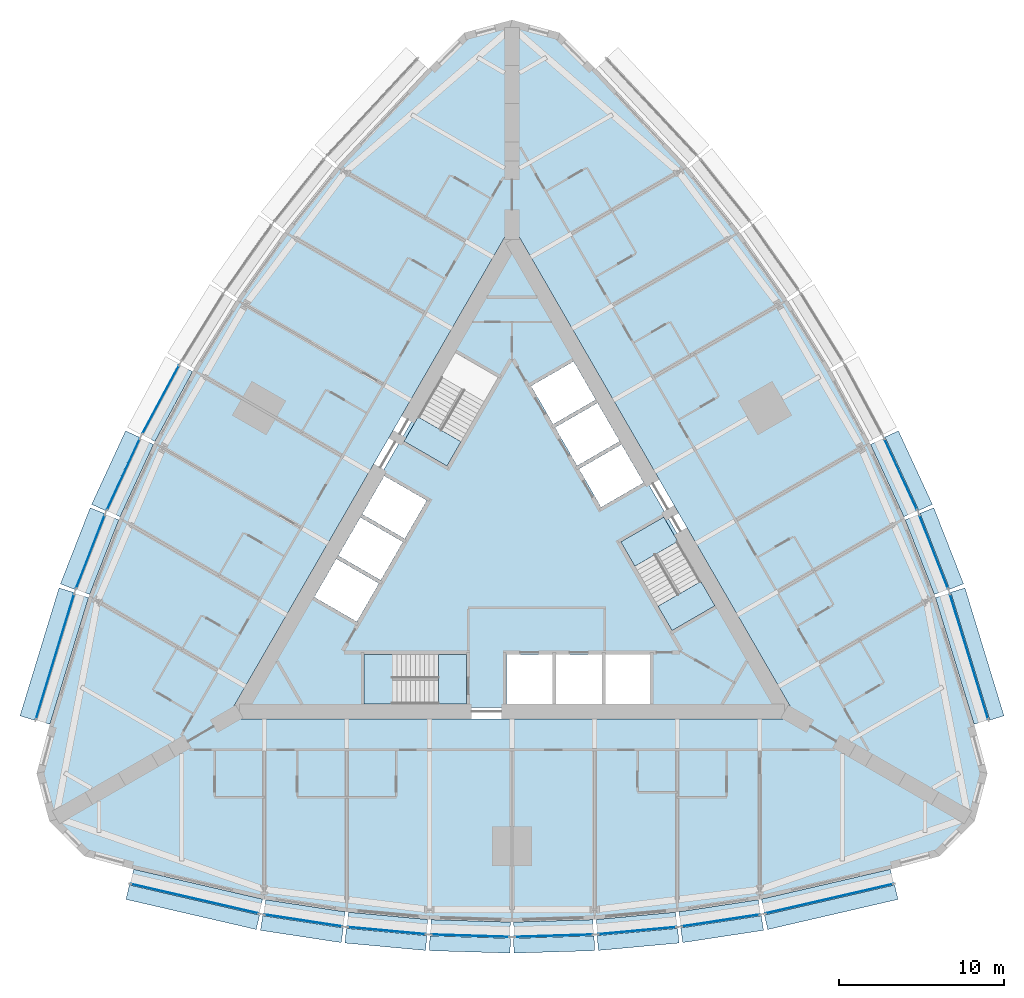
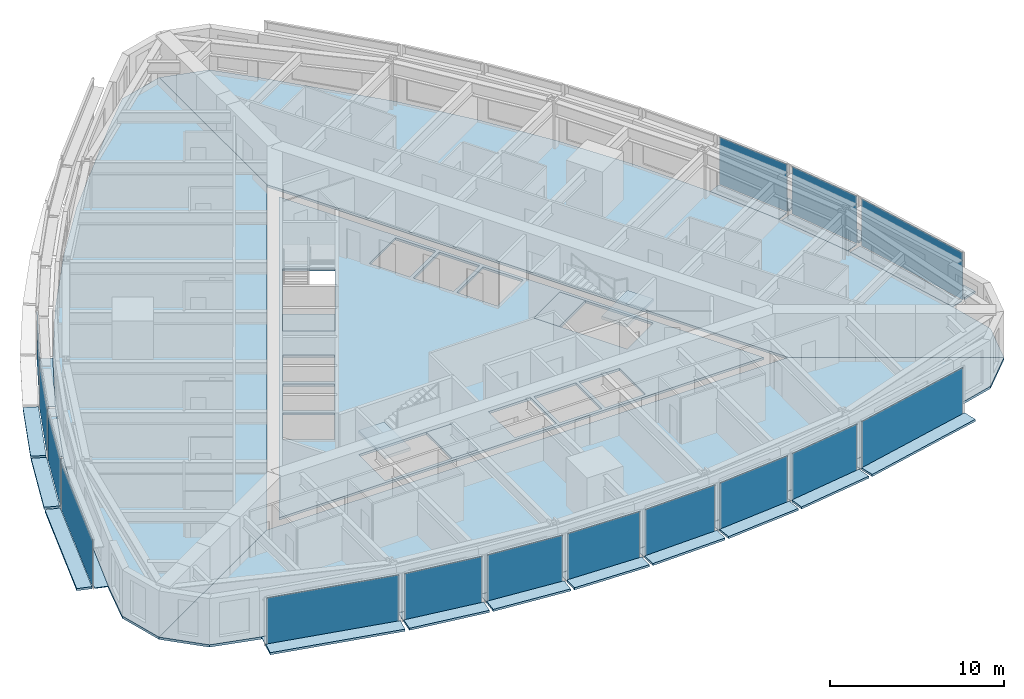
# One storey, part 6 of 14: 44 plates, 9 slabs, 18 elements without a shape of their own.
"""IFC4 building model written with IfcOpenShell, lengths in metres."""

from ifc_helpers import new_model, si_unit, direction, frame, origin, origin_2d, place, context, subcontext, project, spatial, polyline, rectangle, outline, extrude, material, layer, layer_set, type_object, element, aggregate, save


model = new_model("IFC4")

# Units and contexts
model_context = context("Model", 3, precision=1e-05, world=origin(), true_north=direction((0.0, 1.0)))
body_context = subcontext(model_context, "Body", "Model", "MODEL_VIEW")
ifc_project = project(units=[si_unit("LENGTHUNIT", "METRE"), si_unit("AREAUNIT", "SQUARE_METRE"), si_unit("VOLUMEUNIT", "CUBIC_METRE"), si_unit("PLANEANGLEUNIT", "RADIAN"), si_unit("MASSUNIT", "GRAM", prefix="KILO")], contexts=[model_context])

# Site, building, storey
site_placement = place(None, origin())
site = spatial("IfcSite", under=ifc_project, at=site_placement, CompositionType="ELEMENT")
building_placement = place(site_placement, origin())
building = spatial("IfcBuilding", under=site, at=building_placement, Name="Trikona Tower", CompositionType="ELEMENT")
storey_placement = place(building_placement, frame((0.0, 0.0, 45.5)))
storey = spatial("IfcBuildingStorey", under=building, at=storey_placement, Name="L10", CompositionType="ELEMENT", Elevation=45.5)

# Plates
ifc_material_1 = material(Name="Aluminium bar grating", Category="aluminium")
ifc_layer_1 = layer(ifc_material_1, 0.050048828125)
ifc_layer_set_1 = layer_set([ifc_layer_1], Name="Cavity catwalk grating")
plate_type_1 = type_object("IfcPlateType", Name="Cavity catwalk grating", PredefinedType="USERDEFINED", material=ifc_layer_set_1)
plate_1_placement = place(storey_placement, frame((-19.09228515625, -20.377197265625, -0.0498046875), z_axis=(0.0, 0.0, 1.0), x_axis=(0.974277718622, -0.225350675607, 0.0)))
element("IfcPlate", 1, at=plate_1_placement, inside=storey, type_object=plate_type_1, Name="Cavity catwalk L10-00", ObjectType="CATWALK GRATING", PredefinedType="USERDEFINED", context=body_context, shape_type="SweptSolid", body=[
    extrude(rectangle(XDim=8.01123046875, YDim=0.820068359375, at=origin_2d()), origin(), (0.0, 0.0, 1.0), 0.050048828125),
])
plate_2_placement = place(storey_placement, frame((-12.561767578125, -21.688720703125, -0.0498046875), z_axis=(0.0, 0.0, 1.0), x_axis=(0.988617896768, -0.150448177754, 0.0)))
element("IfcPlate", 2, at=plate_2_placement, inside=storey, type_object=plate_type_1, Name="Cavity catwalk L10-01", ObjectType="CATWALK GRATING", PredefinedType="USERDEFINED", context=body_context, shape_type="SweptSolid", body=[
    extrude(rectangle(XDim=4.857666015625, YDim=0.820068359375, at=origin_2d()), origin(), (0.0, 0.0, 1.0), 0.050048828125),
])
plate_3_placement = place(storey_placement, frame((-7.537353515625, -22.300537109375, -0.0498046875), z_axis=(0.0, 0.0, 1.0), x_axis=(0.995858098326, -0.090921108655, 0.0)))
element("IfcPlate", 3, at=plate_3_placement, inside=storey, type_object=plate_type_1, Name="Cavity catwalk L10-02", ObjectType="CATWALK GRATING", PredefinedType="USERDEFINED", context=body_context, shape_type="SweptSolid", body=[
    extrude(rectangle(XDim=4.82080078125, YDim=0.820068359375, at=origin_2d()), origin(), (0.0, 0.0, 1.0), 0.050048828125),
])
for number, where, z_axis, x_axis, name in (
    (4, (-2.512451171875, -22.606201171875, -0.0498046875), (0.0, 0.0, 1.0), (0.999537048889, -0.030425119525, 0.0), "Cavity catwalk L10-03"),
    (5, (2.512451171875, -22.606201171875, -0.0498046875), (0.0, 0.0, 1.0), (0.999537048889, 0.030425119525, 0.0), "Cavity catwalk L10-04"),
):
    element("IfcPlate", number, at=place(storey_placement, frame(where, z_axis=z_axis, x_axis=x_axis)), inside=storey, type_object=plate_type_1, Name=name, ObjectType="CATWALK GRATING", PredefinedType="USERDEFINED", context=body_context, shape_type="SweptSolid", body=[
        extrude(rectangle(XDim=4.80224609375, YDim=0.820068359375, at=origin_2d()), origin(), (0.0, 0.0, 1.0), 0.050048828125),
    ])
plate_4_placement = place(storey_placement, frame((7.537353515625, -22.300537109375, -0.0498046875), z_axis=(0.0, 0.0, 1.0), x_axis=(0.995858098326, 0.090921108655, 0.0)))
element("IfcPlate", 6, at=plate_4_placement, inside=storey, type_object=plate_type_1, Name="Cavity catwalk L10-05", ObjectType="CATWALK GRATING", PredefinedType="USERDEFINED", context=body_context, shape_type="SweptSolid", body=[
    extrude(rectangle(XDim=4.82080078125, YDim=0.820068359375, at=origin_2d()), origin(), (0.0, 0.0, 1.0), 0.050048828125),
])
plate_5_placement = place(storey_placement, frame((12.561767578125, -21.688720703125, -0.0498046875), z_axis=(0.0, 0.0, 1.0), x_axis=(0.988617896768, 0.150448177754, 0.0)))
element("IfcPlate", 7, at=plate_5_placement, inside=storey, type_object=plate_type_1, Name="Cavity catwalk L10-06", ObjectType="CATWALK GRATING", PredefinedType="USERDEFINED", context=body_context, shape_type="SweptSolid", body=[
    extrude(rectangle(XDim=4.857666015625, YDim=0.820068359375, at=origin_2d()), origin(), (0.0, 0.0, 1.0), 0.050048828125),
])
for number, where, z_axis, x_axis, name in (
    (8, (19.09228515625, -20.377197265625, -0.0498046875), (0.0, 0.0, 1.0), (0.974277718622, 0.225350675607, 0.0), "Cavity catwalk L10-07"),
    (9, (27.193359375, -6.345947265625, -0.0498046875), (0.0, 0.0, 1.0), (-0.291979449475, 0.956424592471, 0.0), "Cavity catwalk L10-12"),
):
    element("IfcPlate", number, at=place(storey_placement, frame(where, z_axis=z_axis, x_axis=x_axis)), inside=storey, type_object=plate_type_1, Name=name, ObjectType="CATWALK GRATING", PredefinedType="USERDEFINED", context=body_context, shape_type="SweptSolid", body=[
        extrude(rectangle(XDim=8.01123046875, YDim=0.820068359375, at=origin_2d()), origin(), (0.0, 0.0, 1.0), 0.050048828125),
    ])
plate_6_placement = place(storey_placement, frame((25.06396484375, -0.034423828125, -0.0498046875), z_axis=(0.0, 0.0, 1.0), x_axis=(-0.364008876551, 0.931395478726, 0.0)))
element("IfcPlate", 10, at=plate_6_placement, inside=storey, type_object=plate_type_1, Name="Cavity catwalk L10-13", ObjectType="CATWALK GRATING", PredefinedType="USERDEFINED", context=body_context, shape_type="SweptSolid", body=[
    extrude(rectangle(XDim=4.857666015625, YDim=0.820068359375, at=origin_2d()), origin(), (0.0, 0.0, 1.0), 0.050048828125),
])
plate_7_placement = place(storey_placement, frame((23.081298828125, 4.622802734375, -0.0498046875), z_axis=(0.0, 0.0, 1.0), x_axis=(-0.41919381307, 0.907896771161, 0.0)))
element("IfcPlate", 11, at=plate_7_placement, inside=storey, type_object=plate_type_1, Name="Cavity catwalk L10-14", ObjectType="CATWALK GRATING", PredefinedType="USERDEFINED", context=body_context, shape_type="SweptSolid", body=[
    extrude(rectangle(XDim=4.82080078125, YDim=0.820068359375, at=origin_2d()), origin(), (0.0, 0.0, 1.0), 0.050048828125),
])
plate_8_placement = place(storey_placement, frame((-20.833740234375, 9.127197265625, -0.0498046875), z_axis=(0.0, 0.0, 1.0), x_axis=(-0.473422672721, -0.880835383572, 0.0)))
element("IfcPlate", 12, at=plate_8_placement, inside=storey, type_object=plate_type_1, Name="Cavity catwalk L10-28", ObjectType="CATWALK GRATING", PredefinedType="USERDEFINED", context=body_context, shape_type="SweptSolid", body=[
    extrude(rectangle(XDim=4.80224609375, YDim=0.820068359375, at=origin_2d()), origin(), (0.0, 0.0, 1.0), 0.050048828125),
])
plate_9_placement = place(storey_placement, frame((-23.081298828125, 4.622802734375, -0.0498046875), z_axis=(0.0, 0.0, 1.0), x_axis=(-0.41919381307, -0.907896771161, 0.0)))
element("IfcPlate", 13, at=plate_9_placement, inside=storey, type_object=plate_type_1, Name="Cavity catwalk L10-29", ObjectType="CATWALK GRATING", PredefinedType="USERDEFINED", context=body_context, shape_type="SweptSolid", body=[
    extrude(rectangle(XDim=4.82080078125, YDim=0.820068359375, at=origin_2d()), origin(), (0.0, 0.0, 1.0), 0.050048828125),
])
plate_10_placement = place(storey_placement, frame((-25.06396484375, -0.034423828125, -0.0498046875), z_axis=(0.0, 0.0, 1.0), x_axis=(-0.364008876551, -0.931395478726, 0.0)))
element("IfcPlate", 14, at=plate_10_placement, inside=storey, type_object=plate_type_1, Name="Cavity catwalk L10-30", ObjectType="CATWALK GRATING", PredefinedType="USERDEFINED", context=body_context, shape_type="SweptSolid", body=[
    extrude(rectangle(XDim=4.857666015625, YDim=0.820068359375, at=origin_2d()), origin(), (0.0, 0.0, 1.0), 0.050048828125),
])
plate_11_placement = place(storey_placement, frame((-27.193359375, -6.345947265625, -0.0498046875), z_axis=(0.0, 0.0, 1.0), x_axis=(-0.291979449475, -0.956424592471, 0.0)))
element("IfcPlate", 15, at=plate_11_placement, inside=storey, type_object=plate_type_1, Name="Cavity catwalk L10-31", ObjectType="CATWALK GRATING", PredefinedType="USERDEFINED", context=body_context, shape_type="SweptSolid", body=[
    extrude(rectangle(XDim=8.01123046875, YDim=0.820068359375, at=origin_2d()), origin(), (0.0, 0.0, 1.0), 0.050048828125),
])

# Slabs
ifc_material_2 = material(Name="Concrete f'c 5000 psi lightweight on composite steel deck", Category="concrete")
ifc_layer_2 = layer(ifc_material_2, 0.1650390625)
ifc_layer_set_2 = layer_set([ifc_layer_2], Name="Composite floor slab 165")
slab_type_1 = type_object("IfcSlabType", Name="Composite floor slab 165", PredefinedType="FLOOR", material=ifc_layer_set_2)
slab_1_placement = place(storey_placement, frame((0.0, 0.0, -0.1650390625)))
element("IfcSlab", 16, at=slab_1_placement, inside=storey, type_object=slab_type_1, Name="Floor slab L10 core", PredefinedType="FLOOR", context=body_context, shape_type="SweptSolid", body=[
    extrude(outline(polyline([(-16.06689453125, -9.2763671875), (16.06689453125, -9.2763671875), (0.0, 18.552490234375), (-16.06689453125, -9.2763671875)]), holes=[polyline([(12.285400390625, -3.126220703125), (9.185302734375, 2.2431640625), (6.587158203125, 0.7431640625), (9.687255859375, -4.626220703125), (12.285400390625, -3.126220703125)]), polyline([(8.340087890625, -9.06640625), (8.340087890625, -6.086181640625), (5.659912109375, -6.086181640625), (5.659912109375, -9.06640625), (8.340087890625, -9.06640625)]), polyline([(5.390869140625, 2.835205078125), (7.9716796875, 4.3251953125), (6.631591796875, 6.646240234375), (4.05078125, 5.15625), (5.390869140625, 2.835205078125)]), polyline([(2.600830078125, 7.667724609375), (3.94091796875, 5.3466796875), (6.521484375, 6.8369140625), (5.181640625, 9.15771484375), (2.600830078125, 7.667724609375)]), polyline([(5.43994140625, -6.086181640625), (2.659912109375, -6.086181640625), (2.659912109375, -9.06640625), (5.43994140625, -9.06640625), (5.43994140625, -6.086181640625)]), polyline([(3.731689453125, 11.669189453125), (1.15087890625, 10.17919921875), (2.490966796875, 7.858154296875), (5.071533203125, 9.34814453125), (3.731689453125, 11.669189453125)]), polyline([(-0.340087890625, -6.086181640625), (-0.340087890625, -9.06640625), (2.43994140625, -9.06640625), (2.43994140625, -6.086181640625), (-0.340087890625, -6.086181640625)]), polyline([(-3.435302734375, 12.202392578125), (-6.535400390625, 6.8330078125), (-3.937255859375, 5.3330078125), (-0.837158203125, 10.702392578125), (-3.435302734375, 12.202392578125)]), polyline([(-8.949951171875, -9.076416015625), (-2.75, -9.076416015625), (-2.75, -6.076416015625), (-8.949951171875, -6.076416015625), (-8.949951171875, -9.076416015625)]), polyline([(-5.15087890625, 3.2509765625), (-7.731689453125, 4.740966796875), (-9.071533203125, 2.419921875), (-6.490966796875, 0.929931640625), (-5.15087890625, 3.2509765625)]), polyline([(-7.94091796875, -1.581298828125), (-6.600830078125, 0.739501953125), (-9.181640625, 2.2294921875), (-10.521484375, -0.09130859375), (-7.94091796875, -1.581298828125)]), polyline([(-11.9716796875, -2.602783203125), (-9.390869140625, -4.093017578125), (-8.05078125, -1.77197265625), (-10.631591796875, -0.281982421875), (-11.9716796875, -2.602783203125)])]), origin(), (0.0, 0.0, 1.0), 0.1650390625),
])
slab_2_placement = place(storey_placement, frame((0.0, 0.0, -0.1650390625)))
element("IfcSlab", 17, at=slab_2_placement, inside=storey, type_object=slab_type_1, Name="Floor slab L10 south", PredefinedType="FLOOR", context=body_context, shape_type="SweptSolid", body=[
    extrude(outline(polyline([(25.88671875, -18.279052734375), (28.0, -16.165771484375), (17.279296875, -9.976318359375), (-17.279296875, -9.976318359375), (-28.0, -16.165771484375), (-25.88671875, -18.279052734375), (-23.0, -19.052490234375), (-15.0, -20.903076171875), (-10.0, -21.663818359375), (-5.0, -22.120361328125), (0.0, -22.272705078125), (5.0, -22.120361328125), (10.0, -21.663818359375), (15.0, -20.903076171875), (23.0, -19.052490234375), (25.88671875, -18.279052734375)])), origin(), (0.0, 0.0, 1.0), 0.1650390625),
])
slab_3_placement = place(storey_placement, frame((0.0, 0.0, -0.1650390625)))
element("IfcSlab", 18, at=slab_3_placement, inside=storey, type_object=slab_type_1, Name="Floor slab L10 north-east", PredefinedType="FLOOR", context=body_context, shape_type="SweptSolid", body=[
    extrude(outline(polyline([(2.88671875, 31.55810546875), (0.0, 32.33154296875), (0.0, 19.95263671875), (17.279296875, -9.976318359375), (28.0, -16.165771484375), (28.7734375, -13.279052734375), (28.0, -10.392333984375), (25.6025390625, -2.538818359375), (23.761474609375, 2.171630859375), (21.65673828125, 6.72998046875), (19.28857421875, 11.13623046875), (16.65673828125, 15.390380859375), (13.761474609375, 19.4921875), (10.6025390625, 23.44189453125), (5.0, 29.44482421875), (2.88671875, 31.55810546875)])), origin(), (0.0, 0.0, 1.0), 0.1650390625),
])
slab_4_placement = place(storey_placement, frame((0.0, 0.0, -0.1650390625)))
element("IfcSlab", 19, at=slab_4_placement, inside=storey, type_object=slab_type_1, Name="Floor slab L10 north-west", PredefinedType="FLOOR", context=body_context, shape_type="SweptSolid", body=[
    extrude(outline(polyline([(0.0, 19.95263671875), (0.0, 32.33154296875), (-2.88671875, 31.55810546875), (-5.0, 29.44482421875), (-10.6025390625, 23.44189453125), (-13.761474609375, 19.4921875), (-16.65673828125, 15.390380859375), (-19.28857421875, 11.13623046875), (-21.65673828125, 6.72998046875), (-23.761474609375, 2.171630859375), (-25.6025390625, -2.538818359375), (-28.0, -10.392333984375), (-28.7734375, -13.279052734375), (-28.0, -16.165771484375), (-17.279296875, -9.976318359375), (0.0, 19.95263671875)])), origin(), (0.0, 0.0, 1.0), 0.1650390625),
])

# Curtain wall, plate
ifc_material_3 = material(Name="Aluminium curtain wall system", Category="aluminium")
curtain_wall_type = type_object("IfcCurtainWallType", Name="Curtain wall DS1", PredefinedType="NOTDEFINED", material=ifc_material_3)
curtain_wall_1_placement = place(storey_placement, origin())
curtain_wall_1 = element("IfcCurtainWall", 20, at=curtain_wall_1_placement, inside=storey, type_object=curtain_wall_type, Name="Curtain wall DS1 L10", PredefinedType="NOTDEFINED")
ifc_material_4 = material(Name="Laminated clear glass", Category="glass")
ifc_layer_3 = layer(ifc_material_4, 0.028076171875)
ifc_layer_set_3 = layer_set([ifc_layer_3], Name="Glass panel DS1")
plate_type_2 = type_object("IfcPlateType", Name="Glass panel DS1", PredefinedType="CURTAIN_PANEL", material=ifc_layer_set_3)
plate_12_placement = place(storey_placement, frame((-19.202880859375, -20.854736328125, 0.0), z_axis=(0.0, 0.0, 1.0), x_axis=(0.974279427173, -0.225343288756, 0.0)))
plate_12 = element("IfcPlate", 21, at=plate_12_placement, type_object=plate_type_2, Name="CW-DS1 panel 1.1", PredefinedType="CURTAIN_PANEL", context=body_context, shape_type="SweptSolid", body=[
    extrude(rectangle(XDim=7.93115234375, YDim=0.028076171875, at=origin_2d()), origin(), (0.0, 0.0, 1.0), 3.320068359375),
])
aggregate(curtain_wall_1, [plate_12])

curtain_wall_2_placement = place(storey_placement, origin())
curtain_wall_2 = element("IfcCurtainWall", 22, at=curtain_wall_2_placement, inside=storey, type_object=curtain_wall_type, Name="Curtain wall DS1 L10", PredefinedType="NOTDEFINED")
plate_13_placement = place(storey_placement, frame((-12.635498046875, -22.173095703125, 0.0), z_axis=(0.0, 0.0, 1.0), x_axis=(0.988619492156, -0.150437693845, 0.0)))
plate_13 = element("IfcPlate", 23, at=plate_13_placement, type_object=plate_type_2, Name="CW-DS1 panel 1.1", PredefinedType="CURTAIN_PANEL", context=body_context, shape_type="SweptSolid", body=[
    extrude(rectangle(XDim=4.777587890625, YDim=0.028076171875, at=origin_2d()), origin(), (0.0, 0.0, 1.0), 3.320068359375),
])
aggregate(curtain_wall_2, [plate_13])

curtain_wall_3_placement = place(storey_placement, origin())
curtain_wall_3 = element("IfcCurtainWall", 24, at=curtain_wall_3_placement, inside=storey, type_object=curtain_wall_type, Name="Curtain wall DS1 L10", PredefinedType="NOTDEFINED")
plate_14_placement = place(storey_placement, frame((-7.581787109375, -22.788330078125, 0.0), z_axis=(0.0, 0.0, 1.0), x_axis=(0.995857840485, -0.090923932737, 0.0)))
plate_14 = element("IfcPlate", 25, at=plate_14_placement, type_object=plate_type_2, Name="CW-DS1 panel 1.1", PredefinedType="CURTAIN_PANEL", context=body_context, shape_type="SweptSolid", body=[
    extrude(rectangle(XDim=4.74072265625, YDim=0.028076171875, at=origin_2d()), origin(), (0.0, 0.0, 1.0), 3.320068359375),
])
aggregate(curtain_wall_3, [plate_14])

curtain_wall_4_placement = place(storey_placement, origin())
curtain_wall_4 = element("IfcCurtainWall", 26, at=curtain_wall_4_placement, inside=storey, type_object=curtain_wall_type, Name="Curtain wall DS1 L10", PredefinedType="NOTDEFINED")
plate_15_placement = place(storey_placement, frame((-2.52734375, -23.09619140625, 0.0), z_axis=(0.0, 0.0, 1.0), x_axis=(0.999536695965, -0.030436711692, 0.0)))
plate_15 = element("IfcPlate", 27, at=plate_15_placement, type_object=plate_type_2, Name="CW-DS1 panel 1.1", PredefinedType="CURTAIN_PANEL", context=body_context, shape_type="SweptSolid", body=[
    extrude(rectangle(XDim=4.72216796875, YDim=0.028076171875, at=origin_2d()), origin(), (0.0, 0.0, 1.0), 3.320068359375),
])
aggregate(curtain_wall_4, [plate_15])

curtain_wall_5_placement = place(storey_placement, origin())
curtain_wall_5 = element("IfcCurtainWall", 28, at=curtain_wall_5_placement, inside=storey, type_object=curtain_wall_type, Name="Curtain wall DS1 L10", PredefinedType="NOTDEFINED")
plate_16_placement = place(storey_placement, frame((2.52734375, -23.09619140625, 0.0), z_axis=(0.0, 0.0, 1.0), x_axis=(0.999536695965, 0.030436711692, 0.0)))
plate_16 = element("IfcPlate", 29, at=plate_16_placement, type_object=plate_type_2, Name="CW-DS1 panel 1.1", PredefinedType="CURTAIN_PANEL", context=body_context, shape_type="SweptSolid", body=[
    extrude(rectangle(XDim=4.72216796875, YDim=0.028076171875, at=origin_2d()), origin(), (0.0, 0.0, 1.0), 3.320068359375),
])
aggregate(curtain_wall_5, [plate_16])

curtain_wall_6_placement = place(storey_placement, origin())
curtain_wall_6 = element("IfcCurtainWall", 30, at=curtain_wall_6_placement, inside=storey, type_object=curtain_wall_type, Name="Curtain wall DS1 L10", PredefinedType="NOTDEFINED")
plate_17_placement = place(storey_placement, frame((7.581787109375, -22.788330078125, 0.0), z_axis=(0.0, 0.0, 1.0), x_axis=(0.995857840485, 0.090923932737, 0.0)))
plate_17 = element("IfcPlate", 31, at=plate_17_placement, type_object=plate_type_2, Name="CW-DS1 panel 1.1", PredefinedType="CURTAIN_PANEL", context=body_context, shape_type="SweptSolid", body=[
    extrude(rectangle(XDim=4.74072265625, YDim=0.028076171875, at=origin_2d()), origin(), (0.0, 0.0, 1.0), 3.320068359375),
])
aggregate(curtain_wall_6, [plate_17])

curtain_wall_7_placement = place(storey_placement, origin())
curtain_wall_7 = element("IfcCurtainWall", 32, at=curtain_wall_7_placement, inside=storey, type_object=curtain_wall_type, Name="Curtain wall DS1 L10", PredefinedType="NOTDEFINED")
plate_18_placement = place(storey_placement, frame((12.635498046875, -22.173095703125, 0.0), z_axis=(0.0, 0.0, 1.0), x_axis=(0.988619492156, 0.150437693845, 0.0)))
plate_18 = element("IfcPlate", 33, at=plate_18_placement, type_object=plate_type_2, Name="CW-DS1 panel 1.1", PredefinedType="CURTAIN_PANEL", context=body_context, shape_type="SweptSolid", body=[
    extrude(rectangle(XDim=4.777587890625, YDim=0.028076171875, at=origin_2d()), origin(), (0.0, 0.0, 1.0), 3.320068359375),
])
aggregate(curtain_wall_7, [plate_18])

curtain_wall_8_placement = place(storey_placement, origin())
curtain_wall_8 = element("IfcCurtainWall", 34, at=curtain_wall_8_placement, inside=storey, type_object=curtain_wall_type, Name="Curtain wall DS1 L10", PredefinedType="NOTDEFINED")
plate_19_placement = place(storey_placement, frame((19.202880859375, -20.854736328125, 0.0), z_axis=(0.0, 0.0, 1.0), x_axis=(0.974279427173, 0.225343288756, 0.0)))
plate_19 = element("IfcPlate", 35, at=plate_19_placement, type_object=plate_type_2, Name="CW-DS1 panel 1.1", PredefinedType="CURTAIN_PANEL", context=body_context, shape_type="SweptSolid", body=[
    extrude(rectangle(XDim=7.93115234375, YDim=0.028076171875, at=origin_2d()), origin(), (0.0, 0.0, 1.0), 3.320068359375),
])
aggregate(curtain_wall_8, [plate_19])

curtain_wall_9_placement = place(storey_placement, origin())
curtain_wall_9 = element("IfcCurtainWall", 36, at=curtain_wall_9_placement, inside=storey, type_object=curtain_wall_type, Name="Curtain wall DS1 L10", PredefinedType="NOTDEFINED")
plate_20_placement = place(storey_placement, frame((27.662109375, -6.202880859375, 0.0), z_axis=(0.0, 0.0, 1.0), x_axis=(-0.291984287868, 0.956423115383, 0.0)))
plate_20 = element("IfcPlate", 37, at=plate_20_placement, type_object=plate_type_2, Name="CW-DS1 panel 1.1", PredefinedType="CURTAIN_PANEL", context=body_context, shape_type="SweptSolid", body=[
    extrude(rectangle(XDim=7.93115234375, YDim=0.028076171875, at=origin_2d()), origin(), (0.0, 0.0, 1.0), 3.320068359375),
])
aggregate(curtain_wall_9, [plate_20])

curtain_wall_10_placement = place(storey_placement, origin())
curtain_wall_10 = element("IfcCurtainWall", 38, at=curtain_wall_10_placement, inside=storey, type_object=curtain_wall_type, Name="Curtain wall DS1 L10", PredefinedType="NOTDEFINED")
plate_21_placement = place(storey_placement, frame((25.520263671875, 0.14404296875, 0.0), z_axis=(0.0, 0.0, 1.0), x_axis=(-0.36400756977, 0.931395989443, 0.0)))
plate_21 = element("IfcPlate", 39, at=plate_21_placement, type_object=plate_type_2, Name="CW-DS1 panel 1.1", PredefinedType="CURTAIN_PANEL", context=body_context, shape_type="SweptSolid", body=[
    extrude(rectangle(XDim=4.777587890625, YDim=0.028076171875, at=origin_2d()), origin(), (0.0, 0.0, 1.0), 3.320068359375),
])
aggregate(curtain_wall_10, [plate_21])

curtain_wall_11_placement = place(storey_placement, origin())
curtain_wall_11 = element("IfcCurtainWall", 40, at=curtain_wall_11_placement, inside=storey, type_object=curtain_wall_type, Name="Curtain wall DS1 L10", PredefinedType="NOTDEFINED")
plate_22_placement = place(storey_placement, frame((23.5263671875, 4.828125, 0.0), z_axis=(0.0, 0.0, 1.0), x_axis=(-0.419190155352, 0.907898459992, 0.0)))
plate_22 = element("IfcPlate", 41, at=plate_22_placement, type_object=plate_type_2, Name="CW-DS1 panel 1.1", PredefinedType="CURTAIN_PANEL", context=body_context, shape_type="SweptSolid", body=[
    extrude(rectangle(XDim=4.740966796875, YDim=0.028076171875, at=origin_2d()), origin(), (0.0, 0.0, 1.0), 3.320068359375),
])
aggregate(curtain_wall_11, [plate_22])

curtain_wall_12_placement = place(storey_placement, origin())
curtain_wall_12 = element("IfcCurtainWall", 42, at=curtain_wall_12_placement, inside=storey, type_object=curtain_wall_type, Name="Curtain wall DS1 L10", PredefinedType="NOTDEFINED")
plate_23_placement = place(storey_placement, frame((-21.265380859375, 9.359130859375, 0.0), z_axis=(0.0, 0.0, 1.0), x_axis=(-0.473408350896, -0.880843080975, 0.0)))
plate_23 = element("IfcPlate", 43, at=plate_23_placement, type_object=plate_type_2, Name="CW-DS1 panel 1.1", PredefinedType="CURTAIN_PANEL", context=body_context, shape_type="SweptSolid", body=[
    extrude(rectangle(XDim=4.72216796875, YDim=0.028076171875, at=origin_2d()), origin(), (0.0, 0.0, 1.0), 3.320068359375),
])
aggregate(curtain_wall_12, [plate_23])

curtain_wall_13_placement = place(storey_placement, origin())
curtain_wall_13 = element("IfcCurtainWall", 44, at=curtain_wall_13_placement, inside=storey, type_object=curtain_wall_type, Name="Curtain wall DS1 L10", PredefinedType="NOTDEFINED")
plate_24_placement = place(storey_placement, frame((-23.5263671875, 4.828125, 0.0), z_axis=(0.0, 0.0, 1.0), x_axis=(-0.419190155352, -0.907898459992, 0.0)))
plate_24 = element("IfcPlate", 45, at=plate_24_placement, type_object=plate_type_2, Name="CW-DS1 panel 1.1", PredefinedType="CURTAIN_PANEL", context=body_context, shape_type="SweptSolid", body=[
    extrude(rectangle(XDim=4.740966796875, YDim=0.028076171875, at=origin_2d()), origin(), (0.0, 0.0, 1.0), 3.320068359375),
])
aggregate(curtain_wall_13, [plate_24])

curtain_wall_14_placement = place(storey_placement, origin())
curtain_wall_14 = element("IfcCurtainWall", 46, at=curtain_wall_14_placement, inside=storey, type_object=curtain_wall_type, Name="Curtain wall DS1 L10", PredefinedType="NOTDEFINED")
plate_25_placement = place(storey_placement, frame((-25.520263671875, 0.14404296875, 0.0), z_axis=(0.0, 0.0, 1.0), x_axis=(-0.36400756977, -0.931395989443, 0.0)))
plate_25 = element("IfcPlate", 47, at=plate_25_placement, type_object=plate_type_2, Name="CW-DS1 panel 1.1", PredefinedType="CURTAIN_PANEL", context=body_context, shape_type="SweptSolid", body=[
    extrude(rectangle(XDim=4.777587890625, YDim=0.028076171875, at=origin_2d()), origin(), (0.0, 0.0, 1.0), 3.320068359375),
])
aggregate(curtain_wall_14, [plate_25])

curtain_wall_15_placement = place(storey_placement, origin())
curtain_wall_15 = element("IfcCurtainWall", 48, at=curtain_wall_15_placement, inside=storey, type_object=curtain_wall_type, Name="Curtain wall DS1 L10", PredefinedType="NOTDEFINED")
plate_26_placement = place(storey_placement, frame((-27.662109375, -6.202880859375, 0.0), z_axis=(0.0, 0.0, 1.0), x_axis=(-0.291984287868, -0.956423115383, 0.0)))
plate_26 = element("IfcPlate", 49, at=plate_26_placement, type_object=plate_type_2, Name="CW-DS1 panel 1.1", PredefinedType="CURTAIN_PANEL", context=body_context, shape_type="SweptSolid", body=[
    extrude(rectangle(XDim=7.93115234375, YDim=0.028076171875, at=origin_2d()), origin(), (0.0, 0.0, 1.0), 3.320068359375),
])
aggregate(curtain_wall_15, [plate_26])

# Plates
ifc_material_5 = material(Name="Aluminium plate fin, pale anodised, on stainless steel outriggers", Category="steel")
ifc_layer_4 = layer(ifc_material_5, 0.14990234375)
ifc_layer_set_4 = layer_set([ifc_layer_4], Name="Outer skin fin 900")
plate_type_3 = type_object("IfcPlateType", Name="Outer skin fin 900", PredefinedType="USERDEFINED", material=ifc_layer_set_4)
plate_27_placement = place(storey_placement, frame((-19.322265625, -21.37109375, 0.0), z_axis=(0.0, 0.0, 1.0), x_axis=(0.974277718622, -0.225350675607, 0.0)))
element("IfcPlate", 50, at=plate_27_placement, inside=storey, type_object=plate_type_3, Name="Outer skin fin L10-00", ObjectType="FIN", PredefinedType="USERDEFINED", context=body_context, shape_type="SweptSolid", body=[
    extrude(rectangle(XDim=8.09130859375, YDim=0.89990234375, at=origin_2d()), origin(), (0.0, 0.0, 1.0), 0.14990234375),
])
plate_28_placement = place(storey_placement, frame((-12.715087890625, -22.697265625, 0.0), z_axis=(0.0, 0.0, 1.0), x_axis=(0.988617896768, -0.150448177754, 0.0)))
element("IfcPlate", 51, at=plate_28_placement, inside=storey, type_object=plate_type_3, Name="Outer skin fin L10-01", ObjectType="FIN", PredefinedType="USERDEFINED", context=body_context, shape_type="SweptSolid", body=[
    extrude(rectangle(XDim=4.9375, YDim=0.89990234375, at=origin_2d()), origin(), (0.0, 0.0, 1.0), 0.14990234375),
])
plate_29_placement = place(storey_placement, frame((-7.6298828125, -23.316162109375, 0.0), z_axis=(0.0, 0.0, 1.0), x_axis=(0.995858098326, -0.090921108655, 0.0)))
element("IfcPlate", 52, at=plate_29_placement, inside=storey, type_object=plate_type_3, Name="Outer skin fin L10-02", ObjectType="FIN", PredefinedType="USERDEFINED", context=body_context, shape_type="SweptSolid", body=[
    extrude(rectangle(XDim=4.90087890625, YDim=0.89990234375, at=origin_2d()), origin(), (0.0, 0.0, 1.0), 0.14990234375),
])
for number, where, z_axis, x_axis, name in (
    (53, (-2.54345703125, -23.625732421875, 0.0), (0.0, 0.0, 1.0), (0.999537048889, -0.030425119525, 0.0), "Outer skin fin L10-03"),
    (54, (2.54345703125, -23.625732421875, 0.0), (0.0, 0.0, 1.0), (0.999537048889, 0.030425119525, 0.0), "Outer skin fin L10-04"),
):
    element("IfcPlate", number, at=place(storey_placement, frame(where, z_axis=z_axis, x_axis=x_axis)), inside=storey, type_object=plate_type_3, Name=name, ObjectType="FIN", PredefinedType="USERDEFINED", context=body_context, shape_type="SweptSolid", body=[
        extrude(rectangle(XDim=4.88232421875, YDim=0.89990234375, at=origin_2d()), origin(), (0.0, 0.0, 1.0), 0.14990234375),
    ])
plate_30_placement = place(storey_placement, frame((7.6298828125, -23.316162109375, 0.0), z_axis=(0.0, 0.0, 1.0), x_axis=(0.995858098326, 0.090921108655, 0.0)))
element("IfcPlate", 55, at=plate_30_placement, inside=storey, type_object=plate_type_3, Name="Outer skin fin L10-05", ObjectType="FIN", PredefinedType="USERDEFINED", context=body_context, shape_type="SweptSolid", body=[
    extrude(rectangle(XDim=4.90087890625, YDim=0.89990234375, at=origin_2d()), origin(), (0.0, 0.0, 1.0), 0.14990234375),
])
plate_31_placement = place(storey_placement, frame((12.715087890625, -22.697265625, 0.0), z_axis=(0.0, 0.0, 1.0), x_axis=(0.988617896768, 0.150448177754, 0.0)))
element("IfcPlate", 56, at=plate_31_placement, inside=storey, type_object=plate_type_3, Name="Outer skin fin L10-06", ObjectType="FIN", PredefinedType="USERDEFINED", context=body_context, shape_type="SweptSolid", body=[
    extrude(rectangle(XDim=4.9375, YDim=0.89990234375, at=origin_2d()), origin(), (0.0, 0.0, 1.0), 0.14990234375),
])
for number, where, z_axis, x_axis, name in (
    (57, (19.322265625, -21.37109375, 0.0), (0.0, 0.0, 1.0), (0.974277718622, 0.225350675607, 0.0), "Outer skin fin L10-07"),
    (58, (28.1689453125, -6.048095703125, 0.0), (0.0, 0.0, 1.0), (-0.291979449475, 0.956424592471, 0.0), "Outer skin fin L10-12"),
):
    element("IfcPlate", number, at=place(storey_placement, frame(where, z_axis=z_axis, x_axis=x_axis)), inside=storey, type_object=plate_type_3, Name=name, ObjectType="FIN", PredefinedType="USERDEFINED", context=body_context, shape_type="SweptSolid", body=[
        extrude(rectangle(XDim=8.09130859375, YDim=0.89990234375, at=origin_2d()), origin(), (0.0, 0.0, 1.0), 0.14990234375),
    ])
plate_32_placement = place(storey_placement, frame((26.013916015625, 0.3369140625, 0.0), z_axis=(0.0, 0.0, 1.0), x_axis=(-0.364008876551, 0.931395478726, 0.0)))
element("IfcPlate", 59, at=plate_32_placement, inside=storey, type_object=plate_type_3, Name="Outer skin fin L10-13", ObjectType="FIN", PredefinedType="USERDEFINED", context=body_context, shape_type="SweptSolid", body=[
    extrude(rectangle(XDim=4.9375, YDim=0.89990234375, at=origin_2d()), origin(), (0.0, 0.0, 1.0), 0.14990234375),
])
for number, where, z_axis, x_axis, name in (
    (60, (24.00732421875, 5.05029296875, 0.0), (0.0, 0.0, 1.0), (-0.41919381307, 0.907896771161, 0.0), "Outer skin fin L10-14"),
    (61, (-24.00732421875, 5.05029296875, 0.0), (0.0, 0.0, 1.0), (-0.41919381307, -0.907896771161, 0.0), "Outer skin fin L10-29"),
):
    element("IfcPlate", number, at=place(storey_placement, frame(where, z_axis=z_axis, x_axis=x_axis)), inside=storey, type_object=plate_type_3, Name=name, ObjectType="FIN", PredefinedType="USERDEFINED", context=body_context, shape_type="SweptSolid", body=[
        extrude(rectangle(XDim=4.90087890625, YDim=0.89990234375, at=origin_2d()), origin(), (0.0, 0.0, 1.0), 0.14990234375),
    ])
plate_33_placement = place(storey_placement, frame((-26.013916015625, 0.3369140625, 0.0), z_axis=(0.0, 0.0, 1.0), x_axis=(-0.364008876551, -0.931395478726, 0.0)))
element("IfcPlate", 62, at=plate_33_placement, inside=storey, type_object=plate_type_3, Name="Outer skin fin L10-30", ObjectType="FIN", PredefinedType="USERDEFINED", context=body_context, shape_type="SweptSolid", body=[
    extrude(rectangle(XDim=4.9375, YDim=0.89990234375, at=origin_2d()), origin(), (0.0, 0.0, 1.0), 0.14990234375),
])
plate_34_placement = place(storey_placement, frame((-28.1689453125, -6.048095703125, 0.0), z_axis=(0.0, 0.0, 1.0), x_axis=(-0.291979449475, -0.956424592471, 0.0)))
element("IfcPlate", 63, at=plate_34_placement, inside=storey, type_object=plate_type_3, Name="Outer skin fin L10-31", ObjectType="FIN", PredefinedType="USERDEFINED", context=body_context, shape_type="SweptSolid", body=[
    extrude(rectangle(XDim=8.09130859375, YDim=0.89990234375, at=origin_2d()), origin(), (0.0, 0.0, 1.0), 0.14990234375),
])

# Stair, slabs
ifc_material_6 = material(Name="Concrete f'c 5000 psi", Category="concrete")
stair_type = type_object("IfcStairType", Name="Core stair", PredefinedType="HALF_TURN_STAIR", material=ifc_material_6)
stair_1_placement = place(storey_placement, origin())
stair_1 = element("IfcStair", 64, at=stair_1_placement, inside=storey, type_object=stair_type, Name="Stair A L10", PredefinedType="HALF_TURN_STAIR")
ifc_material_7 = material(Name="Concrete f'c 5000 psi", Category="concrete")
ifc_layer_5 = layer(ifc_material_7, 0.199951171875)
ifc_layer_set_5 = layer_set([ifc_layer_5], Name="Stair landing 200")
slab_type_2 = type_object("IfcSlabType", Name="Stair landing 200", PredefinedType="LANDING", material=ifc_layer_set_5)
slab_5_placement = place(storey_placement, frame((0.0, 0.0, -0.199951171875)))
slab_5 = element("IfcSlab", 65, at=slab_5_placement, type_object=slab_type_2, Name="ST-A landing 1", PredefinedType="LANDING", context=body_context, shape_type="SweptSolid", body=[
    extrude(outline(polyline([(-4.452880859375, -6.076416015625), (-2.75, -6.076416015625), (-2.75, -9.076416015625), (-4.452880859375, -9.076416015625), (-4.452880859375, -6.076416015625)])), origin(), (0.0, 0.0, 1.0), 0.199951171875),
])
slab_6_placement = place(storey_placement, frame((0.0, 0.0, 1.5)))
slab_6 = element("IfcSlab", 66, at=slab_6_placement, type_object=slab_type_2, Name="ST-A landing 2", PredefinedType="LANDING", context=body_context, shape_type="SweptSolid", body=[
    extrude(outline(polyline([(-8.949951171875, -6.076416015625), (-7.2470703125, -6.076416015625), (-7.2470703125, -9.076416015625), (-8.949951171875, -9.076416015625), (-8.949951171875, -6.076416015625)])), origin(), (0.0, 0.0, 1.0), 0.199951171875),
])
aggregate(stair_1, [slab_5, slab_6])

stair_2_placement = place(storey_placement, origin())
stair_2 = element("IfcStair", 67, at=stair_2_placement, inside=storey, type_object=stair_type, Name="Stair B L10", PredefinedType="HALF_TURN_STAIR")
slab_7_placement = place(storey_placement, frame((0.0, 0.0, -0.199951171875)))
slab_7 = element("IfcSlab", 68, at=slab_7_placement, type_object=slab_type_2, Name="ST-B landing 1", PredefinedType="LANDING", context=body_context, shape_type="SweptSolid", body=[
    extrude(outline(polyline([(7.438720703125, -0.731689453125), (6.587158203125, 0.7431640625), (9.185302734375, 2.2431640625), (10.036865234375, 0.768310546875), (7.438720703125, -0.731689453125)])), origin(), (0.0, 0.0, 1.0), 0.199951171875),
])
slab_8_placement = place(storey_placement, frame((0.0, 0.0, 1.5)))
slab_8 = element("IfcSlab", 69, at=slab_8_placement, type_object=slab_type_2, Name="ST-B landing 2", PredefinedType="LANDING", context=body_context, shape_type="SweptSolid", body=[
    extrude(outline(polyline([(9.687255859375, -4.626220703125), (8.835693359375, -3.1513671875), (11.433837890625, -1.6513671875), (12.285400390625, -3.126220703125), (9.687255859375, -4.626220703125)])), origin(), (0.0, 0.0, 1.0), 0.199951171875),
])
aggregate(stair_2, [slab_7, slab_8])

# Stair, slab
stair_3_placement = place(storey_placement, origin())
stair_3 = element("IfcStair", 70, at=stair_3_placement, inside=storey, type_object=stair_type, Name="Stair C L10", PredefinedType="HALF_TURN_STAIR")
slab_9_placement = place(storey_placement, frame((0.0, 0.0, -0.199951171875)))
slab_9 = element("IfcSlab", 71, at=slab_9_placement, type_object=slab_type_2, Name="ST-C landing 1", PredefinedType="LANDING", context=body_context, shape_type="SweptSolid", body=[
    extrude(outline(polyline([(-3.085693359375, 6.807861328125), (-3.937255859375, 5.3330078125), (-6.535400390625, 6.8330078125), (-5.683837890625, 8.307861328125), (-3.085693359375, 6.807861328125)])), origin(), (0.0, 0.0, 1.0), 0.199951171875),
])
aggregate(stair_3, [slab_9])

save(model, "model.ifc")
